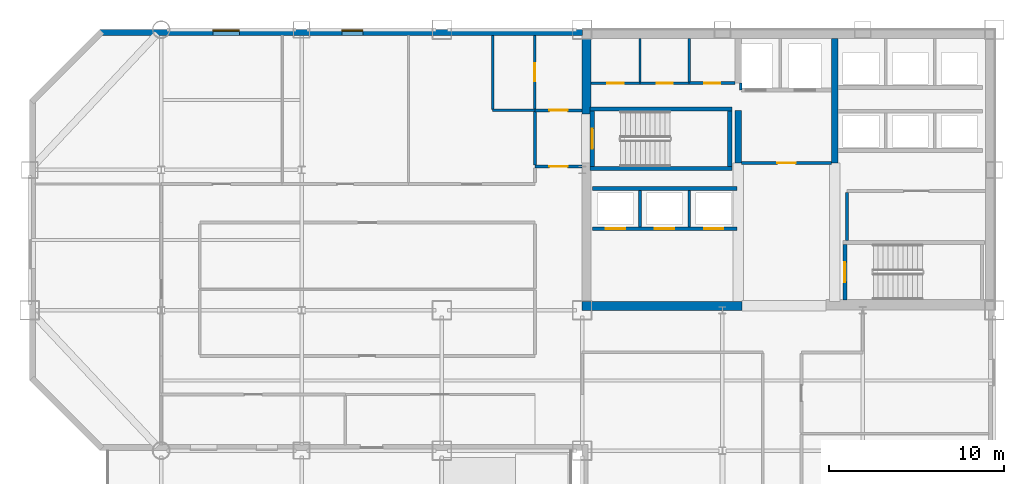
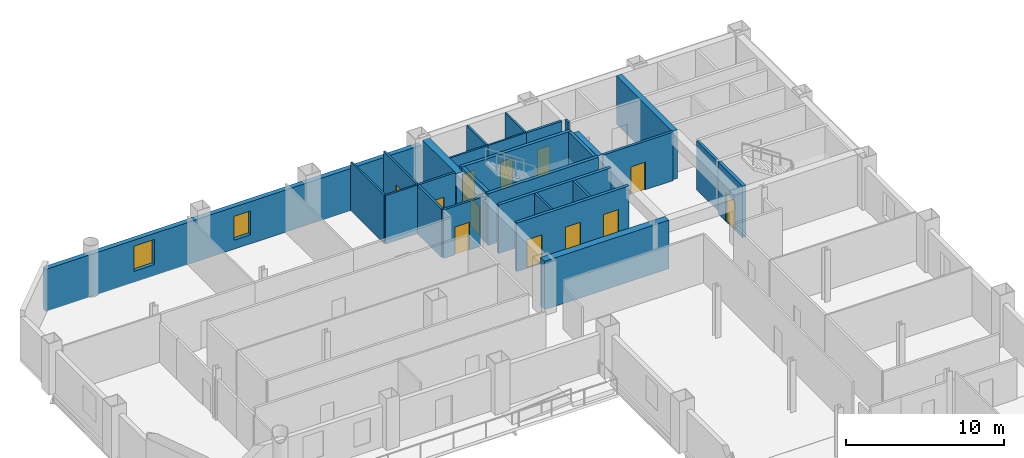
# One storey, part 7 of 10: 28 walls, 12 doors, 2 windows, 14 openings.
"""IFC4 building model written with IfcOpenShell, lengths in metres."""

import ifcopenshell
import ifcopenshell.guid

model = None  # the IFC model being written
_history = None  # IfcOwnerHistory: only IFC2X3 demands one
_inside = {}  # id of a spatial element -> (the spatial element, [elements in it])
_under = {}  # id of a project, library or spatial element -> (it, [spatial elements below it])
_declared = {}  # id of a project -> (the project, [libraries it declares])
_typed = {}  # id of a type object -> (the type object, [elements of that type])
_made_of = {}  # id of a material, layer set ... -> (it, [elements and type objects made of it])


def new_model(schema):
    """Start an empty IFC model of exactly this schema.

    Asked for "IFC4X3", IfcOpenShell would pick the latest addendum, in which some entities
    have other attributes; the version numbers below select the first issue.
    IFC2X3 requires an IfcOwnerHistory on every rooted entity: one is made here for all.
    """
    global model, _history
    if schema == "IFC4X3":
        model = ifcopenshell.file(schema_version=(4, 3, 0, 0))
    else:
        model = ifcopenshell.file(schema=schema)
    _inside.clear()
    _under.clear()
    _declared.clear()
    _typed.clear()
    _made_of.clear()
    _history = None
    if model.schema == "IFC2X3":
        org = make("IfcOrganization", Name="unknown")
        user = make(
            "IfcPersonAndOrganization",
            ThePerson=make("IfcPerson", FamilyName="unknown"),
            TheOrganization=org,
        )
        app = make(
            "IfcApplication",
            ApplicationDeveloper=org,
            Version="unknown",
            ApplicationFullName="unknown",
            ApplicationIdentifier="unknown",
        )
        _history = make(
            "IfcOwnerHistory",
            OwningUser=user,
            OwningApplication=app,
            ChangeAction="ADDED",
            CreationDate=0,
        )
    return model


def make(cls, **values):
    """One entity of the class cls with the attributes given. An attribute that is None is left unset."""
    return model.create_entity(
        cls, **{name: value for name, value in values.items() if value is not None}
    )


def rooted(cls, **values):
    """An entity with a GlobalId (a new one), such as an element, a storey or a relation."""
    return make(cls, GlobalId=ifcopenshell.guid.new(), OwnerHistory=_history, **values)


def si_unit(unit_type, name, prefix=None):
    """IfcSIUnit, for example si_unit("LENGTHUNIT", "METRE", prefix="MILLI")."""
    return make("IfcSIUnit", UnitType=unit_type, Prefix=prefix, Name=name)


def assignment(units):
    """IfcUnitAssignment: the units of a project."""
    return None if units is None else make("IfcUnitAssignment", Units=units)


def point(xyz):
    """IfcCartesianPoint."""
    return None if xyz is None else make("IfcCartesianPoint", Coordinates=xyz)


def direction(xyz):
    """IfcDirection."""
    return None if xyz is None else make("IfcDirection", DirectionRatios=xyz)


def frame(location, z_axis=None, x_axis=None):
    """IfcAxis2Placement3D, a coordinate frame: its origin and axes. An axis left out is left unset."""
    return make(
        "IfcAxis2Placement3D",
        Location=point(location),
        Axis=direction(z_axis),
        RefDirection=direction(x_axis),
    )


def frame_2d(location, x_axis=None):
    """IfcAxis2Placement2D, a coordinate frame in the plane: its origin and x axis."""
    return make(
        "IfcAxis2Placement2D", Location=point(location), RefDirection=direction(x_axis)
    )


def origin():
    """The frame at (0, 0, 0) with its axes left unset."""
    return frame((0.0, 0.0, 0.0))


def place(relative_to, where):
    """IfcLocalPlacement: puts the frame where relative to a parent placement (None: the world)."""
    return make(
        "IfcLocalPlacement", PlacementRelTo=relative_to, RelativePlacement=where
    )


def context(
    kind, dimensions, precision=None, world=None, true_north=None, identifier=None
):
    """IfcGeometricRepresentationContext, for example the 3D "Model" context."""
    return make(
        "IfcGeometricRepresentationContext",
        ContextIdentifier=identifier,
        ContextType=kind,
        CoordinateSpaceDimension=dimensions,
        Precision=precision,
        WorldCoordinateSystem=world,
        TrueNorth=true_north,
    )


def subcontext(parent, identifier, kind, view, scale=None):
    """IfcGeometricRepresentationSubContext, for example "Body" below "Model"."""
    return make(
        "IfcGeometricRepresentationSubContext",
        ContextIdentifier=identifier,
        ContextType=kind,
        ParentContext=parent,
        TargetScale=scale,
        TargetView=view,
    )


def project(units=None, contexts=None):
    """IfcProject with its units and contexts."""
    return rooted(
        "IfcProject",
        Name="project",
        RepresentationContexts=contexts,
        UnitsInContext=assignment(units),
    )


def spatial(cls, under=None, at=None, **own):
    """A site, building, storey or space (cls), placed at a placement, below another one or the project."""
    s = rooted(cls, ObjectPlacement=at, **own)
    if under is not None:
        _under.setdefault(under.id(), (under, []))[1].append(s)
    return s


def profile(cls, at=None, kind="AREA", **sizes):
    """A parametric profile (cls). Its sizes go by their IFC names, for example OverallWidth=200.0."""
    return make(cls, ProfileType=kind, Position=at, **sizes)


def rectangle(**sizes):
    """IfcRectangleProfileDef."""
    return profile("IfcRectangleProfileDef", **sizes)


def extrude(swept, where, along, depth):
    """IfcExtrudedAreaSolid: the profile swept, set in the frame where, extruded along a direction by depth."""
    return make(
        "IfcExtrudedAreaSolid",
        SweptArea=swept,
        Position=where,
        ExtrudedDirection=direction(along),
        Depth=depth,
    )


def shape(context_of_items, identifier, shape_type, items):
    """IfcShapeRepresentation: the items that make up one representation, for example the "Body"."""
    return make(
        "IfcShapeRepresentation",
        ContextOfItems=context_of_items,
        RepresentationIdentifier=identifier,
        RepresentationType=shape_type,
        Items=items,
    )


def material(Name=None, Category=None):
    """IfcMaterial."""
    return make("IfcMaterial", Name=Name, Category=Category)


def layer(
    of_material, thickness, ventilated=None, Name=None, Category=None, Priority=None
):
    """IfcMaterialLayer: one layer of a wall or slab, of a material (None: an air gap)."""
    return make(
        "IfcMaterialLayer",
        Material=of_material,
        LayerThickness=thickness,
        IsVentilated=ventilated,
        Name=Name,
        Category=Category,
        Priority=Priority,
    )


def layer_set(layers, Name=None):
    """IfcMaterialLayerSet."""
    return make("IfcMaterialLayerSet", MaterialLayers=layers, LayerSetName=Name)


def made_of(thing, what):
    """Note that an element or type object is made of a material, layer set ...; save() writes the relation."""
    if what is not None:
        _made_of.setdefault(what.id(), (what, []))[1].append(thing)
    return thing


def type_object(cls, material=None, **own):
    """A type object (cls), such as IfcWallType, which elements share."""
    return made_of(rooted(cls, **own), material)


def element(
    cls,
    number,
    at=None,
    inside=None,
    cuts=None,
    type_object=None,
    material=None,
    context=None,
    identifier="Body",
    shape_type=None,
    held_by="IfcProductDefinitionShape",
    body=None,
    shapes=None,
    **own,
):
    """One element of the class cls, such as IfcWall. Its Tag is "e" and its number.

    at: its placement. inside: the storey or other place that contains it. cuts: it is an
    opening in that element (IfcRelVoidsElement). A single representation is given by context,
    identifier, shape_type and body (its items); several are given by shapes. held_by: the class
    of the entity that holds the representations. save() writes the other relations.
    """
    e = rooted(cls, Tag="e%d" % number, ObjectPlacement=at, **own)
    if body is not None:
        shapes = [shape(context, identifier, shape_type, body)]
    if shapes is not None:
        e.Representation = make(held_by, Representations=shapes)
    if inside is not None:
        _inside.setdefault(inside.id(), (inside, []))[1].append(e)
    if cuts is not None:
        rooted(
            "IfcRelVoidsElement", RelatingBuildingElement=cuts, RelatedOpeningElement=e
        )
    if type_object is not None:
        _typed.setdefault(type_object.id(), (type_object, []))[1].append(e)
    return made_of(e, material)


def fill(opening, filler):
    """IfcRelFillsElement: the door or window that sits in an opening."""
    return rooted(
        "IfcRelFillsElement",
        RelatingOpeningElement=opening,
        RelatedBuildingElement=filler,
    )


def aggregate(whole, parts):
    """IfcRelAggregates: a whole, such as a stair, and the parts it consists of."""
    return rooted("IfcRelAggregates", RelatingObject=whole, RelatedObjects=parts)


def save(model, path):
    """Write the relations noted so far, then the file.

    IfcRelAggregates (storeys below a building ...), IfcRelContainedInSpatialStructure (elements
    in a storey), IfcRelDefinesByType, IfcRelAssociatesMaterial and IfcRelDeclares: one each for
    every whole, place, type object, material and project.
    """
    for whole, parts in _under.values():
        aggregate(whole, parts)
    for where, things in _inside.values():
        rooted(
            "IfcRelContainedInSpatialStructure",
            RelatedElements=things,
            RelatingStructure=where,
        )
    for kind, things in _typed.values():
        rooted("IfcRelDefinesByType", RelatedObjects=things, RelatingType=kind)
    for what, things in _made_of.values():
        rooted("IfcRelAssociatesMaterial", RelatedObjects=things, RelatingMaterial=what)
    for by, libraries in _declared.values():
        rooted("IfcRelDeclares", RelatingContext=by, RelatedDefinitions=libraries)
    model.write(path)


model = new_model("IFC4")

# Units and contexts
model_context = context("Model", 3, precision=1e-05, world=origin(), true_north=direction((0.0, 1.0)))
body_context = subcontext(model_context, "Body", "Model", "MODEL_VIEW")
ifc_project = project(units=[si_unit("LENGTHUNIT", "METRE"), si_unit("AREAUNIT", "SQUARE_METRE"), si_unit("VOLUMEUNIT", "CUBIC_METRE"), si_unit("PLANEANGLEUNIT", "RADIAN"), si_unit("MASSUNIT", "GRAM", prefix="KILO")], contexts=[model_context])

# Site, building, storey
site_placement = place(None, origin())
site = spatial("IfcSite", under=ifc_project, at=site_placement, CompositionType="ELEMENT")
building_placement = place(site_placement, origin())
building = spatial("IfcBuilding", under=site, at=building_placement, Name="Qianrong Seaharbour Tower", CompositionType="ELEMENT")
storey_placement = place(building_placement, frame((0.0, 0.0, 187.0)))
storey = spatial("IfcBuildingStorey", under=building, at=storey_placement, Name="L45", CompositionType="ELEMENT", Elevation=187.0)

# Walls
ifc_material_1 = material(Name="Concrete C60/75", Category="concrete")
ifc_layer_1 = layer(ifc_material_1, 0.5)
ifc_layer_set_1 = layer_set([ifc_layer_1], Name="Concrete C60/75")
wall_type_1 = type_object("IfcWallType", Name="WALL-CORE-500", PredefinedType="SHEAR", material=ifc_layer_set_1)
wall_1_placement = place(storey_placement, frame((40.75, 47.199951171875, 0.0), z_axis=(0.0, 0.0, 1.0), x_axis=(0.0, 1.0, 0.0)))
element("IfcWall", 1, at=wall_1_placement, inside=storey, type_object=wall_type_1, Name="L45 West Core Shear Wall North", PredefinedType="SHEAR", context=body_context, shape_type="SweptSolid", body=[
    extrude(rectangle(XDim=4.300048828125, YDim=0.5, at=frame_2d((2.14990234375, 0.0))), origin(), (0.0, 0.0, 1.0), 3.764892578125),
])
wall_2_placement = place(storey_placement, frame((40.5, 36.25, 0.0), z_axis=(0.0, 0.0, 1.0), x_axis=(1.0, 0.0, 0.0)))
element("IfcWall", 2, at=wall_2_placement, inside=storey, type_object=wall_type_1, Name="L45 South Core Shear Wall S1", PredefinedType="SHEAR", context=body_context, shape_type="SweptSolid", body=[
    extrude(rectangle(XDim=9.10009765625, YDim=0.5, at=frame_2d((4.550048828125, 0.0))), origin(), (0.0, 0.0, 1.0), 3.764892578125),
])
ifc_layer_2 = layer(ifc_material_1, 0.3798828125)
ifc_layer_set_2 = layer_set([ifc_layer_2], Name="Concrete C60/75")
wall_type_2 = type_object("IfcWallType", Name="WALL-CORE-INT-380", PredefinedType="SHEAR", material=ifc_layer_set_2)
wall_3_placement = place(storey_placement, frame((49.39990234375, 44.39990234375, 0.0), z_axis=(0.0, 0.0, 1.0), x_axis=(0.0, 1.0, 0.0)))
element("IfcWall", 3, at=wall_3_placement, inside=storey, type_object=wall_type_2, Name="L45 Internal Core Shear Wall IW1N1", PredefinedType="SHEAR", context=body_context, shape_type="SweptSolid", body=[
    extrude(rectangle(XDim=3.0, YDim=0.3798828125, at=frame_2d((1.5, 0.0))), origin(), (0.0, 0.0, 1.0), 3.764892578125),
])
wall_4_placement = place(storey_placement, frame((54.89990234375, 44.39990234375, 0.0), z_axis=(0.0, 0.0, 1.0), x_axis=(0.0, 1.0, 0.0)))
element("IfcWall", 4, at=wall_4_placement, inside=storey, type_object=wall_type_2, Name="L45 Internal Core Shear Wall IW2N", PredefinedType="SHEAR", context=body_context, shape_type="SweptSolid", body=[
    extrude(rectangle(XDim=7.10009765625, YDim=0.3798828125, at=frame_2d((3.550048828125, 0.0))), origin(), (0.0, 0.0, 1.0), 3.764892578125),
])

# Wall, opening, door
ifc_material_2 = material(Name="Fire-rated acoustic gypsum board partition")
ifc_layer_3 = layer(ifc_material_2, 0.1650390625)
ifc_layer_set_3 = layer_set([ifc_layer_3], Name="Fire-rated acoustic gypsum board partition")
wall_type_3 = type_object("IfcWallType", Name="WALL-CORR-PART-165", PredefinedType="PARTITIONING", material=ifc_layer_set_3)
wall_5_placement = place(storey_placement, frame((37.800048828125, 47.39990234375, 0.0), z_axis=(0.0, 0.0, 1.0), x_axis=(1.0, 0.0, 0.0)))
wall_5 = element("IfcWall", 5, at=wall_5_placement, inside=storey, type_object=wall_type_3, Name="L45 Interior Partition Wall 001", PredefinedType="PARTITIONING", context=body_context, shape_type="SweptSolid", body=[
    extrude(rectangle(XDim=2.699951171875, YDim=0.1650390625, at=frame_2d((1.35009765625, 0.0))), origin(), (0.0, 0.0, 1.0), 3.764892578125),
])
opening_1_placement = place(wall_5_placement, frame((0.824951171875, 0.0, 0.0)))
opening_1 = element("IfcOpeningElement", 6, at=opening_1_placement, cuts=wall_5, Name="Opening DC-01", PredefinedType="OPENING", context=body_context, shape_type="SweptSolid", body=[
    extrude(rectangle(XDim=1.050048828125, YDim=2.14990234375, at=frame_2d((0.52490234375, 1.074951171875))), frame((0.0, 0.092529296875, 0.0), z_axis=(0.0, -1.0, 0.0), x_axis=(1.0, 0.0, 0.0)), (0.0, 0.0, 1.0), 0.18505859375),
])
ifc_material_3 = material(Name="Acoustic timber and galvanized steel fire door assembly", Category="steel")
door_type_1 = type_object("IfcDoorType", Name="DOOR-CORR-FD60-1050x2150", OperationType="NOTDEFINED", PredefinedType="DOOR", material=ifc_material_3)
door_1_placement = place(opening_1_placement, origin())
door_1 = element("IfcDoor", 7, at=door_1_placement, inside=storey, type_object=door_type_1, Name="L45 Smokeproof Stair Vestibule ST-1 Door", OperationType="SINGLE_SWING_RIGHT", OverallHeight=2.14990234375, OverallWidth=1.050048828125, PredefinedType="DOOR", context=body_context, shape_type="SweptSolid", body=[
    extrude(rectangle(XDim=1.050048828125, YDim=2.14990234375, at=frame_2d((0.52490234375, 1.074951171875))), frame((0.0, 0.02490234375, 0.0), z_axis=(0.0, -1.0, 0.0), x_axis=(1.0, 0.0, 0.0)), (0.0, 0.0, 1.0), 0.050048828125),
])
fill(opening_1, door_1)

wall_6_placement = place(storey_placement, frame((40.5, 44.199951171875, 0.0), z_axis=(0.0, 0.0, 1.0), x_axis=(-1.0, 0.0, 0.0)))
wall_6 = element("IfcWall", 8, at=wall_6_placement, inside=storey, type_object=wall_type_3, Name="L45 Interior Partition Wall 002", PredefinedType="PARTITIONING", context=body_context, shape_type="SweptSolid", body=[
    extrude(rectangle(XDim=2.699951171875, YDim=0.1650390625, at=frame_2d((1.35009765625, 0.0))), origin(), (0.0, 0.0, 1.0), 3.764892578125),
])
opening_2_placement = place(wall_6_placement, frame((0.824951171875, 0.0, 0.0)))
opening_2 = element("IfcOpeningElement", 9, at=opening_2_placement, cuts=wall_6, Name="Opening DC-01", PredefinedType="OPENING", context=body_context, shape_type="SweptSolid", body=[
    extrude(rectangle(XDim=1.050048828125, YDim=2.14990234375, at=frame_2d((0.52490234375, 1.074951171875))), frame((0.0, 0.092529296875, 0.0), z_axis=(0.0, -1.0, 0.0), x_axis=(1.0, 0.0, 0.0)), (0.0, 0.0, 1.0), 0.18505859375),
])
door_2_placement = place(opening_2_placement, origin())
door_2 = element("IfcDoor", 10, at=door_2_placement, inside=storey, type_object=door_type_1, Name="L45 Smokeproof Stair Vestibule ST-1 Door", OperationType="SINGLE_SWING_LEFT", OverallHeight=2.14990234375, OverallWidth=1.050048828125, PredefinedType="DOOR", context=body_context, shape_type="SweptSolid", body=[
    extrude(rectangle(XDim=1.050048828125, YDim=2.14990234375, at=frame_2d((0.52490234375, 1.074951171875))), frame((0.0, 0.02490234375, 0.0), z_axis=(0.0, -1.0, 0.0), x_axis=(1.0, 0.0, 0.0)), (0.0, 0.0, 1.0), 0.050048828125),
])
fill(opening_2, door_2)

# Wall
wall_7_placement = place(storey_placement, frame((37.800048828125, 44.2744140625, 0.0), z_axis=(0.0, 0.0, 1.0), x_axis=(0.0, 1.0, 0.0)))
element("IfcWall", 11, at=wall_7_placement, inside=storey, type_object=wall_type_3, Name="L45 Interior Partition Wall 003", PredefinedType="PARTITIONING", context=body_context, shape_type="SweptSolid", body=[
    extrude(rectangle(XDim=3.051025390625, YDim=0.1650390625, at=frame_2d((1.525390625, 0.0))), origin(), (0.0, 0.0, 1.0), 3.764892578125),
])

# Wall, opening, door
wall_8_placement = place(storey_placement, frame((46.60009765625, 48.949951171875, 0.0), z_axis=(0.0, 0.0, 1.0), x_axis=(1.0, 0.0, 0.0)))
wall_8 = element("IfcWall", 12, at=wall_8_placement, inside=storey, type_object=wall_type_3, Name="L45 Interior Partition Wall 009", PredefinedType="PARTITIONING", context=body_context, shape_type="SweptSolid", body=[
    extrude(rectangle(XDim=2.617919921875, YDim=0.1650390625, at=frame_2d((1.30908203125, 0.0))), origin(), (0.0, 0.0, 1.0), 3.764892578125),
])
opening_3_placement = place(wall_8_placement, frame((0.85888671875, 0.0, 0.0)))
opening_3 = element("IfcOpeningElement", 13, at=opening_3_placement, cuts=wall_8, Name="Opening DS-01", PredefinedType="OPENING", context=body_context, shape_type="SweptSolid", body=[
    extrude(rectangle(XDim=0.89990234375, YDim=2.14990234375, at=frame_2d((0.449951171875, 1.074951171875))), frame((0.0, 0.092529296875, 0.0), z_axis=(0.0, -1.0, 0.0), x_axis=(1.0, 0.0, 0.0)), (0.0, 0.0, 1.0), 0.18505859375),
])
door_type_2 = type_object("IfcDoorType", Name="DOOR-STORE-900x2150", OperationType="NOTDEFINED", PredefinedType="DOOR", material=ifc_material_3)
door_3_placement = place(opening_3_placement, origin())
door_3 = element("IfcDoor", 14, at=door_3_placement, inside=storey, type_object=door_type_2, Name="L45 Cleaner Store Room Door", OperationType="SINGLE_SWING_RIGHT", OverallHeight=2.14990234375, OverallWidth=0.89990234375, PredefinedType="DOOR", context=body_context, shape_type="SweptSolid", body=[
    extrude(rectangle(XDim=0.89990234375, YDim=2.14990234375, at=frame_2d((0.449951171875, 1.074951171875))), frame((0.0, 0.02490234375, 0.0), z_axis=(0.0, -1.0, 0.0), x_axis=(1.0, 0.0, 0.0)), (0.0, 0.0, 1.0), 0.050048828125),
])
fill(opening_3, door_3)

# Wall, openings, windows
ifc_material_4 = material(Name="Unitised buff brick on Precast concrete C45/55", Category="masonry")
ifc_layer_4 = layer(ifc_material_4, 0.340087890625)
ifc_layer_set_4 = layer_set([ifc_layer_4], Name="Unitised buff brick on Precast concrete C45/55")
wall_type_4 = type_object("IfcWallType", Name="WALL-EXT-BRICK-BUFF-340", PredefinedType="SOLIDWALL", material=ifc_layer_set_4)
wall_9_placement = place(storey_placement, frame((13.0, 51.830078125, 0.0), z_axis=(0.0, 0.0, 1.0), x_axis=(1.0, 0.0, 0.0)))
wall_9 = element("IfcWall", 15, at=wall_9_placement, inside=storey, type_object=wall_type_4, Name="L45 Exterior Masonry Facade Wall NORTH_WING", PredefinedType="SOLIDWALL", context=body_context, shape_type="SweptSolid", body=[
    extrude(rectangle(XDim=27.52001953125, YDim=0.340087890625, at=frame_2d((13.760009765625, 0.0))), origin(), (0.0, 0.0, 1.0), 3.264892578125),
])
opening_4_placement = place(wall_9_placement, frame((6.449951171875, 0.0, 0.85009765625)))
opening_4 = element("IfcOpeningElement", 16, at=opening_4_placement, cuts=wall_9, Name="Opening WN-03", PredefinedType="OPENING", context=body_context, shape_type="SweptSolid", body=[
    extrude(rectangle(XDim=1.5, YDim=1.949951171875, at=frame_2d((0.75, 0.97509765625))), frame((0.0, 0.18017578125, 0.0), z_axis=(0.0, -1.0, 0.0), x_axis=(1.0, 0.0, 0.0)), (0.0, 0.0, 1.0), 0.360107421875),
])
opening_5_placement = place(wall_9_placement, frame((13.800048828125, 0.0, 0.699951171875)))
opening_5 = element("IfcOpeningElement", 17, at=opening_5_placement, cuts=wall_9, Name="Opening WN-01", PredefinedType="OPENING", context=body_context, shape_type="SweptSolid", body=[
    extrude(rectangle(XDim=1.199951171875, YDim=1.85009765625, at=frame_2d((0.60009765625, 0.925048828125))), frame((0.0, 0.18017578125, 0.0), z_axis=(0.0, -1.0, 0.0), x_axis=(1.0, 0.0, 0.0)), (0.0, 0.0, 1.0), 0.360107421875),
])
ifc_material_5 = material(Name="Insulated low-e double glazing in thermally broken aluminium 6063-T6 frame", Category="aluminium")
window_type_1 = type_object("IfcWindowType", Name="WIN-PUNCH-1200x1850", PartitioningType="DOUBLE_PANEL_VERTICAL", PredefinedType="WINDOW", material=ifc_material_5)
window_1_placement = place(opening_5_placement, origin())
window_1 = element("IfcWindow", 18, at=window_1_placement, inside=storey, type_object=window_type_1, Name="L45 Deep-Set Punched Window 05.04", OverallHeight=1.85009765625, OverallWidth=1.199951171875, PartitioningType="DOUBLE_PANEL_VERTICAL", PredefinedType="WINDOW", context=body_context, shape_type="SweptSolid", body=[
    extrude(rectangle(XDim=1.199951171875, YDim=1.85009765625, at=frame_2d((0.60009765625, 0.925048828125))), frame((0.0, 0.150146484375, 0.0), z_axis=(0.0, -1.0, 0.0), x_axis=(1.0, 0.0, 0.0)), (0.0, 0.0, 1.0), 0.06005859375),
])
fill(opening_5, window_1)
window_type_2 = type_object("IfcWindowType", Name="WIN-PUNCH-1500x1950", PartitioningType="DOUBLE_PANEL_VERTICAL", PredefinedType="WINDOW", material=ifc_material_5)
window_2_placement = place(opening_4_placement, origin())
window_2 = element("IfcWindow", 19, at=window_2_placement, inside=storey, type_object=window_type_2, Name="L45 Deep-Set Punched Window 05.02", OverallHeight=1.949951171875, OverallWidth=1.5, PartitioningType="DOUBLE_PANEL_VERTICAL", PredefinedType="WINDOW", context=body_context, shape_type="SweptSolid", body=[
    extrude(rectangle(XDim=1.5, YDim=1.949951171875, at=frame_2d((0.75, 0.97509765625))), frame((0.0, 0.150146484375, 0.0), z_axis=(0.0, -1.0, 0.0), x_axis=(1.0, 0.0, 0.0)), (0.0, 0.0, 1.0), 0.06005859375),
])
fill(opening_4, window_2)

# Wall, opening, door
ifc_material_6 = material(Name="Double fire-rated gypsum board acoustic partition")
ifc_layer_5 = layer(ifc_material_6, 0.18994140625)
ifc_layer_set_5 = layer_set([ifc_layer_5], Name="Double fire-rated gypsum board acoustic partition")
wall_type_5 = type_object("IfcWallType", Name="WALL-FIRE-PART-190", PredefinedType="PARTITIONING", material=ifc_layer_set_5)
wall_10_placement = place(storey_placement, frame((54.718017578125, 44.39990234375, 0.0), z_axis=(0.0, 0.0, 1.0), x_axis=(-1.0, 0.0, 0.0)))
wall_10 = element("IfcWall", 20, at=wall_10_placement, inside=storey, type_object=wall_type_5, Name="L45 Interior Partition Wall 010", PredefinedType="PARTITIONING", context=body_context, shape_type="SweptSolid", body=[
    extrude(rectangle(XDim=5.135986328125, YDim=0.18994140625, at=frame_2d((2.56787109375, 0.0))), origin(), (0.0, 0.0, 1.0), 3.764892578125),
])
opening_6_placement = place(wall_10_placement, frame((2.04296875, 0.0, 0.0)))
opening_6 = element("IfcOpeningElement", 21, at=opening_6_placement, cuts=wall_10, Name="Opening DC-01", PredefinedType="OPENING", context=body_context, shape_type="SweptSolid", body=[
    extrude(rectangle(XDim=1.050048828125, YDim=2.14990234375, at=frame_2d((0.52490234375, 1.074951171875))), frame((0.0, 0.10498046875, 0.0), z_axis=(0.0, -1.0, 0.0), x_axis=(1.0, 0.0, 0.0)), (0.0, 0.0, 1.0), 0.2099609375),
])
door_4_placement = place(opening_6_placement, origin())
door_4 = element("IfcDoor", 22, at=door_4_placement, inside=storey, type_object=door_type_1, Name="L45 Firefighting Lift Lobby Door", OperationType="SINGLE_SWING_LEFT", OverallHeight=2.14990234375, OverallWidth=1.050048828125, PredefinedType="DOOR", context=body_context, shape_type="SweptSolid", body=[
    extrude(rectangle(XDim=1.050048828125, YDim=2.14990234375, at=frame_2d((0.52490234375, 1.074951171875))), frame((0.0, 0.02490234375, 0.0), z_axis=(0.0, -1.0, 0.0), x_axis=(1.0, 0.0, 0.0)), (0.0, 0.0, 1.0), 0.050048828125),
])
fill(opening_6, door_4)

# Walls
wall_11_placement = place(storey_placement, frame((55.60009765625, 42.712890625, 0.0), z_axis=(0.0, 0.0, 1.0), x_axis=(0.0, -1.0, 0.0)))
element("IfcWall", 23, at=wall_11_placement, inside=storey, type_object=wall_type_5, Name="L45 Interior Partition Wall 011", PredefinedType="PARTITIONING", context=body_context, shape_type="SweptSolid", body=[
    extrude(rectangle(XDim=2.73095703125, YDim=0.18994140625, at=frame_2d((1.365478515625, 0.0))), origin(), (0.0, 0.0, 1.0), 3.764892578125),
])
ifc_material_7 = material(Name="Fire-rated gypsum board on steel studs", Category="steel")
ifc_layer_6 = layer(ifc_material_7, 0.14990234375)
ifc_layer_set_6 = layer_set([ifc_layer_6], Name="Fire-rated gypsum board on steel studs")
wall_type_6 = type_object("IfcWallType", Name="WALL-SHAFT-DIV-150", PredefinedType="PARTITIONING", material=ifc_layer_set_6)
wall_12_placement = place(storey_placement, frame((49.550048828125, 48.550048828125, 0.0), z_axis=(0.0, 0.0, 1.0), x_axis=(0.0, 1.0, 0.0)))
element("IfcWall", 24, at=wall_12_placement, inside=storey, type_object=wall_type_6, Name="L45 Firefighting Lift Shaft West Return Wall", PredefinedType="PARTITIONING", context=body_context, shape_type="SweptSolid", body=[
    extrude(rectangle(XDim=0.39990234375, YDim=0.14990234375, at=frame_2d((0.199951171875, 0.0))), origin(), (0.0, 0.0, 1.0), 3.764892578125),
])
for number, where, z_axis, x_axis, name in (
    (25, (43.800048828125, 40.760009765625, 0.0), (0.0, 0.0, 1.0), (0.0, 1.0, 0.0), "L45 P2 Lift Hoistway Divider 2"),
    (26, (46.60009765625, 40.760009765625, 0.0), (0.0, 0.0, 1.0), (0.0, 1.0, 0.0), "L45 P2 Lift Hoistway Divider 3"),
):
    element("IfcWall", number, at=place(storey_placement, frame(where, z_axis=z_axis, x_axis=x_axis)), inside=storey, type_object=wall_type_6, Name=name, PredefinedType="PARTITIONING", context=body_context, shape_type="SweptSolid", body=[
        extrude(rectangle(XDim=2.080078125, YDim=0.14990234375, at=frame_2d((1.0400390625, 0.0))), origin(), (0.0, 0.0, 1.0), 3.764892578125),
    ])

# Wall, openings, doors
ifc_layer_7 = layer(ifc_material_7, 0.219970703125)
ifc_layer_set_7 = layer_set([ifc_layer_7], Name="Fire-rated gypsum board on steel studs")
wall_type_7 = type_object("IfcWallType", Name="WALL-SHAFT-GYP220", PredefinedType="PARTITIONING", material=ifc_layer_set_7)
wall_13_placement = place(storey_placement, frame((49.320068359375, 40.64990234375, 0.0), z_axis=(0.0, 0.0, 1.0), x_axis=(-1.0, 0.0, 0.0)))
wall_13 = element("IfcWall", 27, at=wall_13_placement, inside=storey, type_object=wall_type_7, Name="L45 P2 Lift Hoistway Front Wall", PredefinedType="PARTITIONING", context=body_context, shape_type="SweptSolid", body=[
    extrude(rectangle(XDim=8.239990234375, YDim=0.219970703125, at=frame_2d((4.1201171875, 0.0))), origin(), (0.0, 0.0, 1.0), 3.764892578125),
])
opening_7_placement = place(wall_13_placement, frame((6.3701171875, 0.0, 0.0)))
opening_7 = element("IfcOpeningElement", 28, at=opening_7_placement, cuts=wall_13, Name="Opening LD-02", PredefinedType="OPENING", context=body_context, shape_type="SweptSolid", body=[
    extrude(rectangle(XDim=1.10009765625, YDim=2.199951171875, at=frame_2d((0.550048828125, 1.10009765625))), frame((0.0, 0.1201171875, 0.0), z_axis=(0.0, -1.0, 0.0), x_axis=(1.0, 0.0, 0.0)), (0.0, 0.0, 1.0), 0.239990234375),
])
opening_8_placement = place(wall_13_placement, frame((3.570068359375, 0.0, 0.0)))
opening_8 = element("IfcOpeningElement", 29, at=opening_8_placement, cuts=wall_13, Name="Opening LD-02", PredefinedType="OPENING", context=body_context, shape_type="SweptSolid", body=[
    extrude(rectangle(XDim=1.10009765625, YDim=2.199951171875, at=frame_2d((0.550048828125, 1.10009765625))), frame((0.0, 0.1201171875, 0.0), z_axis=(0.0, -1.0, 0.0), x_axis=(1.0, 0.0, 0.0)), (0.0, 0.0, 1.0), 0.239990234375),
])
opening_9_placement = place(wall_13_placement, frame((0.77001953125, 0.0, 0.0)))
opening_9 = element("IfcOpeningElement", 30, at=opening_9_placement, cuts=wall_13, Name="Opening LD-02", PredefinedType="OPENING", context=body_context, shape_type="SweptSolid", body=[
    extrude(rectangle(XDim=1.10009765625, YDim=2.199951171875, at=frame_2d((0.550048828125, 1.10009765625))), frame((0.0, 0.1201171875, 0.0), z_axis=(0.0, -1.0, 0.0), x_axis=(1.0, 0.0, 0.0)), (0.0, 0.0, 1.0), 0.239990234375),
])
ifc_material_8 = material(Name="Stainless steel SUS316L bi-parting lift landing door", Category="steel")
door_type_3 = type_object("IfcDoorType", Name="DOOR-LIFT-PASS-1100x2200", OperationType="DOUBLE_DOOR_SLIDING", PredefinedType="DOOR", material=ifc_material_8)
door_5_placement = place(opening_7_placement, origin())
door_5 = element("IfcDoor", 31, at=door_5_placement, inside=storey, type_object=door_type_3, Name="L45 PL-2A Lift Landing Door", OperationType="DOUBLE_DOOR_SLIDING", OverallHeight=2.199951171875, OverallWidth=1.10009765625, PredefinedType="DOOR", context=body_context, shape_type="SweptSolid", body=[
    extrude(rectangle(XDim=1.10009765625, YDim=2.199951171875, at=frame_2d((0.550048828125, 1.10009765625))), frame((0.0, 0.02490234375, 0.0), z_axis=(0.0, -1.0, 0.0), x_axis=(1.0, 0.0, 0.0)), (0.0, 0.0, 1.0), 0.050048828125),
])
fill(opening_7, door_5)
door_6_placement = place(opening_8_placement, origin())
door_6 = element("IfcDoor", 32, at=door_6_placement, inside=storey, type_object=door_type_3, Name="L45 PL-2B Lift Landing Door", OperationType="DOUBLE_DOOR_SLIDING", OverallHeight=2.199951171875, OverallWidth=1.10009765625, PredefinedType="DOOR", context=body_context, shape_type="SweptSolid", body=[
    extrude(rectangle(XDim=1.10009765625, YDim=2.199951171875, at=frame_2d((0.550048828125, 1.10009765625))), frame((0.0, 0.02490234375, 0.0), z_axis=(0.0, -1.0, 0.0), x_axis=(1.0, 0.0, 0.0)), (0.0, 0.0, 1.0), 0.050048828125),
])
fill(opening_8, door_6)
door_7_placement = place(opening_9_placement, origin())
door_7 = element("IfcDoor", 33, at=door_7_placement, inside=storey, type_object=door_type_3, Name="L45 PL-2C Lift Landing Door", OperationType="DOUBLE_DOOR_SLIDING", OverallHeight=2.199951171875, OverallWidth=1.10009765625, PredefinedType="DOOR", context=body_context, shape_type="SweptSolid", body=[
    extrude(rectangle(XDim=1.10009765625, YDim=2.199951171875, at=frame_2d((0.550048828125, 1.10009765625))), frame((0.0, 0.02490234375, 0.0), z_axis=(0.0, -1.0, 0.0), x_axis=(1.0, 0.0, 0.0)), (0.0, 0.0, 1.0), 0.050048828125),
])
fill(opening_9, door_7)

# Walls
wall_14_placement = place(storey_placement, frame((41.080078125, 42.949951171875, 0.0), z_axis=(0.0, 0.0, 1.0), x_axis=(1.0, 0.0, 0.0)))
element("IfcWall", 34, at=wall_14_placement, inside=storey, type_object=wall_type_7, Name="L45 P2 Lift Hoistway Back Wall", PredefinedType="PARTITIONING", context=body_context, shape_type="SweptSolid", body=[
    extrude(rectangle(XDim=8.239990234375, YDim=0.219970703125, at=frame_2d((4.1201171875, 0.0))), origin(), (0.0, 0.0, 1.0), 3.764892578125),
])
ifc_material_9 = material(Name="Concrete C50/60", Category="concrete")
ifc_layer_8 = layer(ifc_material_9, 0.239990234375)
ifc_layer_set_8 = layer_set([ifc_layer_8], Name="Concrete C50/60")
wall_type_8 = type_object("IfcWallType", Name="WALL-SHAFT-RC240", PredefinedType="SOLIDWALL", material=ifc_layer_set_8)
for number, where, z_axis, x_axis, name in (
    (35, (40.9599609375, 47.469970703125, 0.0), (0.0, 0.0, 1.0), (1.0, 0.0, 0.0), "L45 ST-1 Structural Stair Core Wall N"),
    (36, (49.0400390625, 44.080078125, 0.0), (0.0, 0.0, 1.0), (-1.0, 0.0, 0.0), "L45 ST-1 Structural Stair Core Wall S"),
):
    element("IfcWall", number, at=place(storey_placement, frame(where, z_axis=z_axis, x_axis=x_axis)), inside=storey, type_object=wall_type_8, Name=name, PredefinedType="SOLIDWALL", context=body_context, shape_type="SweptSolid", body=[
        extrude(rectangle(XDim=8.080078125, YDim=0.239990234375, at=frame_2d((4.0400390625, 0.0))), origin(), (0.0, 0.0, 1.0), 4.0),
    ])

# Wall, opening, door
wall_15_placement = place(storey_placement, frame((41.080078125, 47.35009765625, 0.0), z_axis=(0.0, 0.0, 1.0), x_axis=(0.0, -1.0, 0.0)))
wall_15 = element("IfcWall", 37, at=wall_15_placement, inside=storey, type_object=wall_type_8, Name="L45 ST-1 Structural Stair Core Wall W", PredefinedType="SOLIDWALL", context=body_context, shape_type="SweptSolid", body=[
    extrude(rectangle(XDim=3.150146484375, YDim=0.239990234375, at=frame_2d((1.5751953125, 0.0))), origin(), (0.0, 0.0, 1.0), 4.0),
])
opening_10_placement = place(wall_15_placement, frame((1.0, 0.0, 0.0)))
opening_10 = element("IfcOpeningElement", 38, at=opening_10_placement, cuts=wall_15, Name="Opening SD-01", PredefinedType="OPENING", context=body_context, shape_type="SweptSolid", body=[
    extrude(rectangle(XDim=1.14990234375, YDim=2.199951171875, at=frame_2d((0.574951171875, 1.10009765625))), frame((0.0, 0.1298828125, 0.0), z_axis=(0.0, -1.0, 0.0), x_axis=(1.0, 0.0, 0.0)), (0.0, 0.0, 1.0), 0.260009765625),
])
door_type_4 = type_object("IfcDoorType", Name="DOOR-STAIR-FD60-1150x2200", OperationType="NOTDEFINED", PredefinedType="DOOR", material=ifc_material_3)
door_8_placement = place(opening_10_placement, origin())
door_8 = element("IfcDoor", 39, at=door_8_placement, inside=storey, type_object=door_type_4, Name="L45 ST-1 Protected Stair Door", OperationType="SINGLE_SWING_RIGHT", OverallHeight=2.199951171875, OverallWidth=1.14990234375, PredefinedType="DOOR", context=body_context, shape_type="SweptSolid", body=[
    extrude(rectangle(XDim=1.14990234375, YDim=2.199951171875, at=frame_2d((0.574951171875, 1.10009765625))), frame((0.0, 0.02490234375, 0.0), z_axis=(0.0, -1.0, 0.0), x_axis=(1.0, 0.0, 0.0)), (0.0, 0.0, 1.0), 0.050048828125),
])
fill(opening_10, door_8)

# Wall
wall_16_placement = place(storey_placement, frame((48.919921875, 44.199951171875, 0.0), z_axis=(0.0, 0.0, 1.0), x_axis=(0.0, 1.0, 0.0)))
element("IfcWall", 40, at=wall_16_placement, inside=storey, type_object=wall_type_8, Name="L45 ST-1 Structural Stair Core Wall E", PredefinedType="SOLIDWALL", context=body_context, shape_type="SweptSolid", body=[
    extrude(rectangle(XDim=3.150146484375, YDim=0.239990234375, at=frame_2d((1.5751953125, 0.0))), origin(), (0.0, 0.0, 1.0), 4.0),
])

# Wall, opening, door
wall_17_placement = place(storey_placement, frame((55.47998046875, 39.75, 0.0), z_axis=(0.0, 0.0, 1.0), x_axis=(0.0, -1.0, 0.0)))
wall_17 = element("IfcWall", 41, at=wall_17_placement, inside=storey, type_object=wall_type_8, Name="L45 ST-2 Structural Stair Core Wall W", PredefinedType="SOLIDWALL", context=body_context, shape_type="SweptSolid", body=[
    extrude(rectangle(XDim=3.14990234375, YDim=0.239990234375, at=frame_2d((1.574951171875, 0.0))), origin(), (0.0, 0.0, 1.0), 4.0),
])
opening_11_placement = place(wall_17_placement, frame((1.0, 0.0, 0.0)))
opening_11 = element("IfcOpeningElement", 42, at=opening_11_placement, cuts=wall_17, Name="Opening SD-01", PredefinedType="OPENING", context=body_context, shape_type="SweptSolid", body=[
    extrude(rectangle(XDim=1.14990234375, YDim=2.199951171875, at=frame_2d((0.574951171875, 1.10009765625))), frame((0.0, 0.1298828125, 0.0), z_axis=(0.0, -1.0, 0.0), x_axis=(1.0, 0.0, 0.0)), (0.0, 0.0, 1.0), 0.260009765625),
])
door_9_placement = place(opening_11_placement, origin())
door_9 = element("IfcDoor", 43, at=door_9_placement, inside=storey, type_object=door_type_4, Name="L45 ST-2 Protected Stair Door", OperationType="SINGLE_SWING_RIGHT", OverallHeight=2.199951171875, OverallWidth=1.14990234375, PredefinedType="DOOR", context=body_context, shape_type="SweptSolid", body=[
    extrude(rectangle(XDim=1.14990234375, YDim=2.199951171875, at=frame_2d((0.574951171875, 1.10009765625))), frame((0.0, 0.02490234375, 0.0), z_axis=(0.0, -1.0, 0.0), x_axis=(1.0, 0.0, 0.0)), (0.0, 0.0, 1.0), 0.050048828125),
])
fill(opening_11, door_9)

ifc_material_10 = material(Name="Water-resistant cement board sanitary partition")
ifc_layer_9 = layer(ifc_material_10, 0.1298828125)
ifc_layer_set_9 = layer_set([ifc_layer_9], Name="Water-resistant cement board sanitary partition")
wall_type_9 = type_object("IfcWallType", Name="WALL-WET-PART-130", PredefinedType="PARTITIONING", material=ifc_layer_set_9)
wall_18_placement = place(storey_placement, frame((37.800048828125, 47.474609375, 0.0), z_axis=(0.0, 0.0, 1.0), x_axis=(0.0, 1.0, 0.0)))
wall_18 = element("IfcWall", 44, at=wall_18_placement, inside=storey, type_object=wall_type_9, Name="L45 Interior Partition Wall 004", PredefinedType="PARTITIONING", context=body_context, shape_type="SweptSolid", body=[
    extrude(rectangle(XDim=4.193359375, YDim=0.1298828125, at=frame_2d((2.0966796875, 0.0))), origin(), (0.0, 0.0, 1.0), 3.764892578125),
])
opening_12_placement = place(wall_18_placement, frame((1.5869140625, 0.0, 0.0)))
opening_12 = element("IfcOpeningElement", 45, at=opening_12_placement, cuts=wall_18, Name="Opening DAW-01", PredefinedType="OPENING", context=body_context, shape_type="SweptSolid", body=[
    extrude(rectangle(XDim=1.02001953125, YDim=2.14990234375, at=frame_2d((0.510009765625, 1.074951171875))), frame((0.0, 0.074951171875, 0.0), z_axis=(0.0, -1.0, 0.0), x_axis=(1.0, 0.0, 0.0)), (0.0, 0.0, 1.0), 0.14990234375),
])
door_type_5 = type_object("IfcDoorType", Name="DOOR-AWC-SLIDE-1020x2150", OperationType="SLIDING_TO_LEFT", PredefinedType="DOOR", material=ifc_material_3)
door_10_placement = place(opening_12_placement, origin())
door_10 = element("IfcDoor", 46, at=door_10_placement, inside=storey, type_object=door_type_5, Name="L45 Accessible Restroom WC Door", OperationType="SLIDING_TO_LEFT", OverallHeight=2.14990234375, OverallWidth=1.02001953125, PredefinedType="DOOR", context=body_context, shape_type="SweptSolid", body=[
    extrude(rectangle(XDim=1.02001953125, YDim=2.14990234375, at=frame_2d((0.510009765625, 1.074951171875))), frame((0.0, 0.02490234375, 0.0), z_axis=(0.0, -1.0, 0.0), x_axis=(1.0, 0.0, 0.0)), (0.0, 0.0, 1.0), 0.050048828125),
])
fill(opening_12, door_10)

# Walls
wall_19_placement = place(storey_placement, frame((37.800048828125, 47.39990234375, 0.0), z_axis=(0.0, 0.0, 1.0), x_axis=(-1.0, 0.0, 0.0)))
element("IfcWall", 47, at=wall_19_placement, inside=storey, type_object=wall_type_9, Name="L45 Interior Partition Wall 005", PredefinedType="PARTITIONING", context=body_context, shape_type="SweptSolid", body=[
    extrude(rectangle(XDim=2.400146484375, YDim=0.1298828125, at=frame_2d((1.2001953125, 0.0))), origin(), (0.0, 0.0, 1.0), 3.764892578125),
])
wall_20_placement = place(storey_placement, frame((35.39990234375, 47.45703125, 0.0), z_axis=(0.0, 0.0, 1.0), x_axis=(0.0, 1.0, 0.0)))
element("IfcWall", 48, at=wall_20_placement, inside=storey, type_object=wall_type_9, Name="L45 Interior Partition Wall 006", PredefinedType="PARTITIONING", context=body_context, shape_type="SweptSolid", body=[
    extrude(rectangle(XDim=4.2109375, YDim=0.1298828125, at=frame_2d((2.10546875, 0.0))), origin(), (0.0, 0.0, 1.0), 3.764892578125),
])

# Wall, opening, door
wall_21_placement = place(storey_placement, frame((41.0, 48.949951171875, 0.0), z_axis=(0.0, 0.0, 1.0), x_axis=(1.0, 0.0, 0.0)))
wall_21 = element("IfcWall", 49, at=wall_21_placement, inside=storey, type_object=wall_type_9, Name="L45 Interior Partition Wall 007", PredefinedType="PARTITIONING", context=body_context, shape_type="SweptSolid", body=[
    extrude(rectangle(XDim=2.800048828125, YDim=0.1298828125, at=frame_2d((1.39990234375, 0.0))), origin(), (0.0, 0.0, 1.0), 3.764892578125),
])
opening_13_placement = place(wall_21_placement, frame((0.93994140625, 0.0, 0.0)))
opening_13 = element("IfcOpeningElement", 50, at=opening_13_placement, cuts=wall_21, Name="Opening DW-01", PredefinedType="OPENING", context=body_context, shape_type="SweptSolid", body=[
    extrude(rectangle(XDim=0.919921875, YDim=2.14990234375, at=frame_2d((0.4599609375, 1.074951171875))), frame((0.0, 0.074951171875, 0.0), z_axis=(0.0, -1.0, 0.0), x_axis=(1.0, 0.0, 0.0)), (0.0, 0.0, 1.0), 0.14990234375),
])
door_type_6 = type_object("IfcDoorType", Name="DOOR-WC-920x2150", OperationType="NOTDEFINED", PredefinedType="DOOR", material=ifc_material_3)
door_11_placement = place(opening_13_placement, origin())
door_11 = element("IfcDoor", 51, at=door_11_placement, inside=storey, type_object=door_type_6, Name="L45 Male Restroom WC Door", OperationType="SINGLE_SWING_RIGHT", OverallHeight=2.14990234375, OverallWidth=0.919921875, PredefinedType="DOOR", context=body_context, shape_type="SweptSolid", body=[
    extrude(rectangle(XDim=0.919921875, YDim=2.14990234375, at=frame_2d((0.4599609375, 1.074951171875))), frame((0.0, 0.02490234375, 0.0), z_axis=(0.0, -1.0, 0.0), x_axis=(1.0, 0.0, 0.0)), (0.0, 0.0, 1.0), 0.050048828125),
])
fill(opening_13, door_11)

wall_22_placement = place(storey_placement, frame((43.800048828125, 48.949951171875, 0.0), z_axis=(0.0, 0.0, 1.0), x_axis=(1.0, 0.0, 0.0)))
wall_22 = element("IfcWall", 52, at=wall_22_placement, inside=storey, type_object=wall_type_9, Name="L45 Interior Partition Wall 008", PredefinedType="PARTITIONING", context=body_context, shape_type="SweptSolid", body=[
    extrude(rectangle(XDim=2.800048828125, YDim=0.1298828125, at=frame_2d((1.39990234375, 0.0))), origin(), (0.0, 0.0, 1.0), 3.764892578125),
])
opening_14_placement = place(wall_22_placement, frame((0.93994140625, 0.0, 0.0)))
opening_14 = element("IfcOpeningElement", 53, at=opening_14_placement, cuts=wall_22, Name="Opening DW-01", PredefinedType="OPENING", context=body_context, shape_type="SweptSolid", body=[
    extrude(rectangle(XDim=0.919921875, YDim=2.14990234375, at=frame_2d((0.4599609375, 1.074951171875))), frame((0.0, 0.074951171875, 0.0), z_axis=(0.0, -1.0, 0.0), x_axis=(1.0, 0.0, 0.0)), (0.0, 0.0, 1.0), 0.14990234375),
])
door_12_placement = place(opening_14_placement, origin())
door_12 = element("IfcDoor", 54, at=door_12_placement, inside=storey, type_object=door_type_6, Name="L45 Female Restroom WC Door", OperationType="SINGLE_SWING_LEFT", OverallHeight=2.14990234375, OverallWidth=0.919921875, PredefinedType="DOOR", context=body_context, shape_type="SweptSolid", body=[
    extrude(rectangle(XDim=0.919921875, YDim=2.14990234375, at=frame_2d((0.4599609375, 1.074951171875))), frame((0.0, 0.02490234375, 0.0), z_axis=(0.0, -1.0, 0.0), x_axis=(1.0, 0.0, 0.0)), (0.0, 0.0, 1.0), 0.050048828125),
])
fill(opening_14, door_12)

# Walls
wall_23_placement = place(storey_placement, frame((43.800048828125, 51.5, 0.0), z_axis=(0.0, 0.0, 1.0), x_axis=(0.0, -1.0, 0.0)))
element("IfcWall", 55, at=wall_23_placement, inside=storey, type_object=wall_type_9, Name="L45 Interior Partition Wall 013", PredefinedType="PARTITIONING", context=body_context, shape_type="SweptSolid", body=[
    extrude(rectangle(XDim=2.492919921875, YDim=0.1298828125, at=frame_2d((1.24658203125, 0.0))), origin(), (0.0, 0.0, 1.0), 3.764892578125),
])
wall_24_placement = place(storey_placement, frame((46.60009765625, 51.5, 0.0), z_axis=(0.0, 0.0, 1.0), x_axis=(0.0, -1.0, 0.0)))
element("IfcWall", 56, at=wall_24_placement, inside=storey, type_object=wall_type_9, Name="L45 Interior Partition Wall 014", PredefinedType="PARTITIONING", context=body_context, shape_type="SweptSolid", body=[
    extrude(rectangle(XDim=2.4755859375, YDim=0.1298828125, at=frame_2d((1.23779296875, 0.0))), origin(), (0.0, 0.0, 1.0), 3.764892578125),
])

save(model, "model.ifc")
